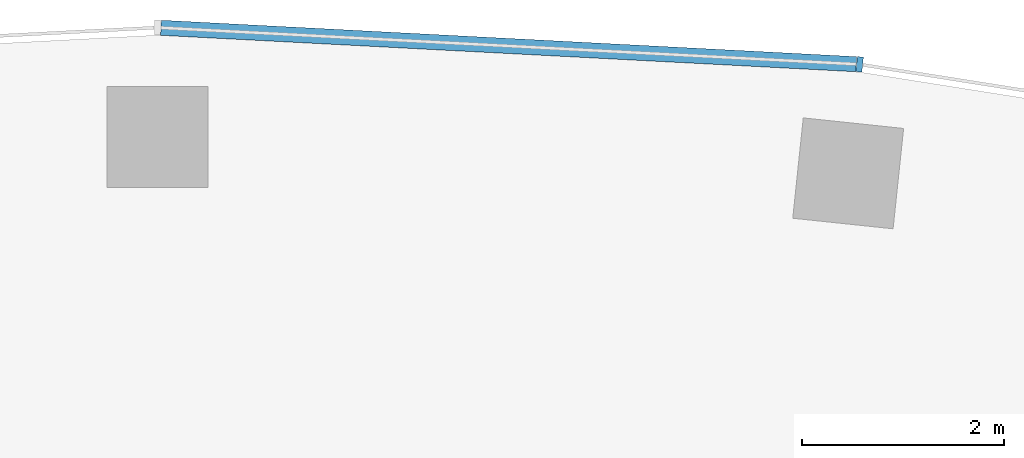
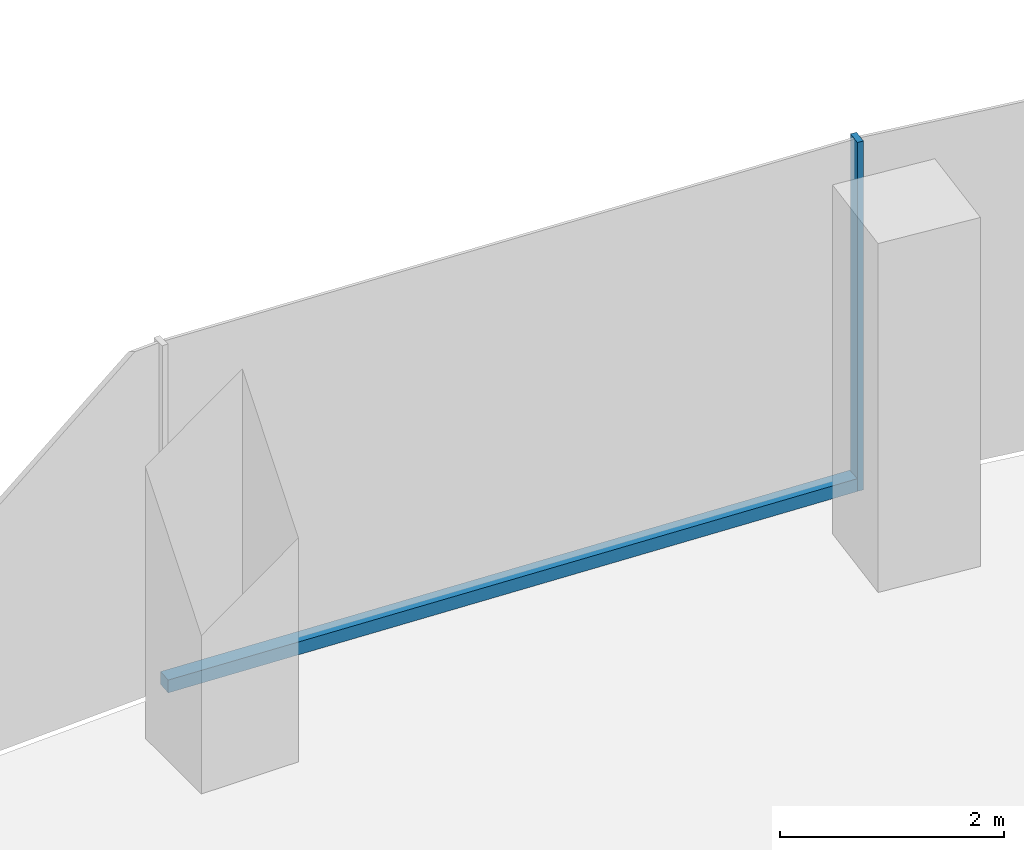
# One storey, part 7 of 20: 2 members, 1 element without a shape of its own.
"""IFC4 building model written with IfcOpenShell, lengths in metres."""

from ifc_helpers import new_model, si_unit, direction, frame, origin, origin_2d, place, context, subcontext, project, spatial, rectangle, extrude, material, layer, layer_set, material_profile, profile_set, type_object, element, aggregate, save


model = new_model("IFC4")

# Units and contexts
model_context = context("Model", 3, precision=1e-05, world=origin(), true_north=direction((0.0, 1.0)))
body_context = subcontext(model_context, "Body", "Model", "MODEL_VIEW")
ifc_project = project(units=[si_unit("LENGTHUNIT", "METRE"), si_unit("AREAUNIT", "SQUARE_METRE"), si_unit("VOLUMEUNIT", "CUBIC_METRE"), si_unit("PLANEANGLEUNIT", "RADIAN"), si_unit("MASSUNIT", "GRAM", prefix="KILO")], contexts=[model_context])

# Site, building, storey
site_placement = place(None, origin())
site = spatial("IfcSite", under=ifc_project, at=site_placement, CompositionType="ELEMENT")
building_placement = place(site_placement, origin())
building = spatial("IfcBuilding", under=site, at=building_placement, Name="Stone Belt Terrace Tower", CompositionType="ELEMENT")
storey_placement = place(building_placement, frame((0.0, 0.0, 185.800048828125)))
storey = spatial("IfcBuildingStorey", under=building, at=storey_placement, Name="L45", CompositionType="ELEMENT", Elevation=185.800048828125)

# Curtain wall, members
ifc_material = material(Name="Aluminium 6063-T6 anodised frame", Category="aluminium")
ifc_layer = layer(ifc_material, 0.14990234375)
ifc_layer_set = layer_set([ifc_layer], Name="CW-A unitised convex-face curtain wall")
curtain_wall_type = type_object("IfcCurtainWallType", Name="CW-A unitised convex-face curtain wall", PredefinedType="NOTDEFINED", material=ifc_layer_set)
curtain_wall_placement = place(storey_placement, origin())
curtain_wall = element("IfcCurtainWall", 1, at=curtain_wall_placement, inside=storey, type_object=curtain_wall_type, Name="CW-A convex face L45", PredefinedType="NOTDEFINED")
ifc_material_profile_1 = material_profile(ifc_material, rectangle(XDim=0.14990234375, YDim=0.06005859375, at=origin_2d()), Name="Aluminium 6063-T6 60x150")
ifc_profile_set_1 = profile_set([ifc_material_profile_1], Name="Aluminium 6063-T6 anodised frame")
member_type_1 = type_object("IfcMemberType", Name="CW-A mullion 60 x 150", PredefinedType="MULLION", material=ifc_profile_set_1)
member_1_placement = place(storey_placement, frame((6.958984375, 66.21044921875, 0.0), z_axis=(0.0, 0.0, 1.0), x_axis=(-0.104528463268, -0.994521895368, 0.0)))
member_1 = element("IfcMember", 2, at=member_1_placement, type_object=member_type_1, Name="CW-A mullion 7", PredefinedType="MULLION", context=body_context, shape_type="SweptSolid", body=[
    extrude(rectangle(XDim=0.14990234375, YDim=0.06005859375, at=origin_2d()), origin(), (0.0, 0.0, 1.0), 3.800048828125),
])
ifc_material_profile_2 = material_profile(ifc_material, rectangle(XDim=0.14990234375, YDim=0.139892578125, at=origin_2d()), Name="Aluminium 6063-T6 150x140")
ifc_profile_set_2 = profile_set([ifc_material_profile_2], Name="Aluminium 6063-T6 anodised frame")
member_type_2 = type_object("IfcMemberType", Name="CW-A transom 140 x 150", PredefinedType="USERDEFINED", material=ifc_profile_set_2)
member_2_placement = place(storey_placement, frame((6.925048828125, 66.212158203125, 0.070068359375), z_axis=(-0.998630019135, 0.052326712899, 0.0), x_axis=(-0.052326712899, -0.998630019135, 0.0)))
member_2 = element("IfcMember", 3, at=member_2_placement, type_object=member_type_2, Name="CW-A transom 7.1", ObjectType="TRANSOM", PredefinedType="USERDEFINED", context=body_context, shape_type="SweptSolid", body=[
    extrude(rectangle(XDim=0.14990234375, YDim=0.139892578125, at=origin_2d()), origin(), (0.0, 0.0, 1.0), 6.900634765625),
])
aggregate(curtain_wall, [member_1, member_2])

save(model, "model.ifc")
